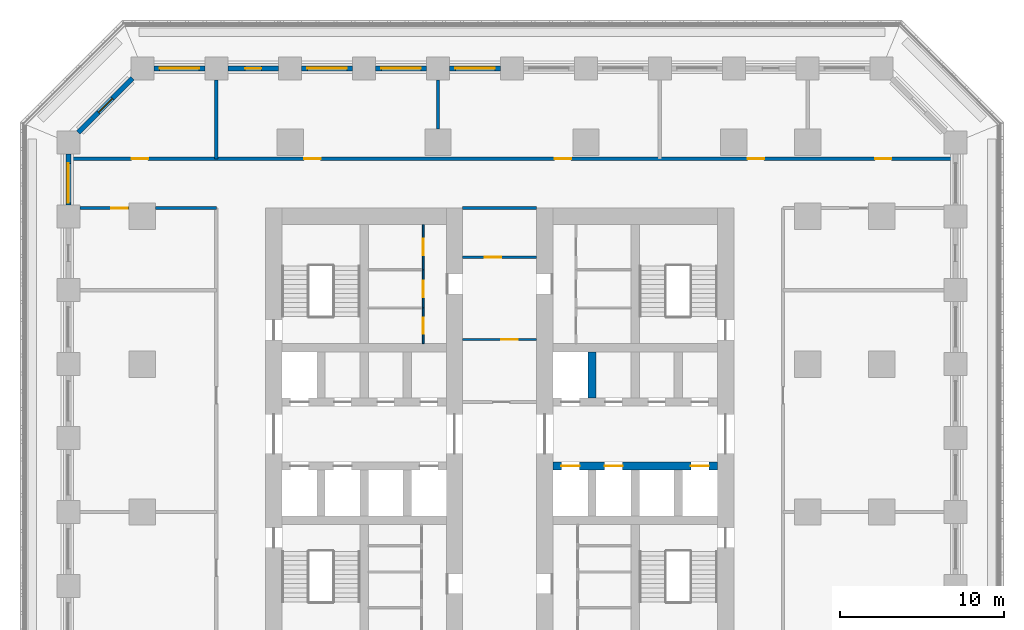
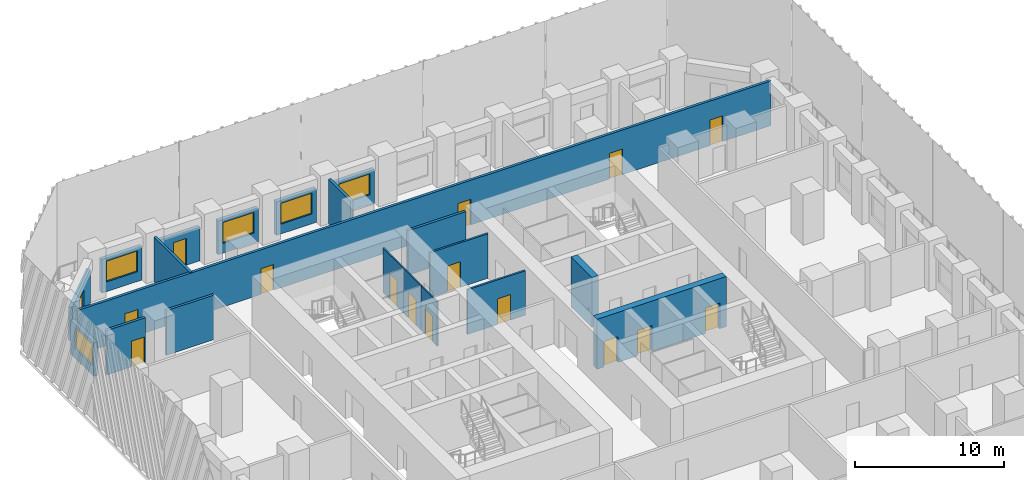
# One storey, part 6 of 14: 20 walls, 16 doors, 5 windows, 21 openings.
"""IFC4 building model written with IfcOpenShell, lengths in metres."""

from ifc_helpers import new_model, si_unit, direction, frame, frame_2d, origin, place, context, subcontext, project, spatial, rectangle, extrude, material, layer, layer_set, type_object, element, fill, save


model = new_model("IFC4")

# Units and contexts
model_context = context("Model", 3, precision=1e-05, world=origin(), true_north=direction((0.0, 1.0)))
body_context = subcontext(model_context, "Body", "Model", "MODEL_VIEW")
ifc_project = project(units=[si_unit("LENGTHUNIT", "METRE"), si_unit("AREAUNIT", "SQUARE_METRE"), si_unit("VOLUMEUNIT", "CUBIC_METRE"), si_unit("PLANEANGLEUNIT", "RADIAN"), si_unit("MASSUNIT", "GRAM", prefix="KILO")], contexts=[model_context])

# Site, building, storey
site_placement = place(None, origin())
site = spatial("IfcSite", under=ifc_project, at=site_placement, CompositionType="ELEMENT")
building_placement = place(site_placement, origin())
building = spatial("IfcBuilding", under=site, at=building_placement, Name="Corbel Stack Research Tower", CompositionType="ELEMENT")
storey_placement = place(building_placement, frame((0.0, 0.0, 50.10009765625)))
storey = spatial("IfcBuildingStorey", under=building, at=storey_placement, Name="L11", CompositionType="ELEMENT", Elevation=50.10009765625)

# Wall, openings, doors
ifc_material_1 = material(Name="Concrete C70/85", Category="concrete")
ifc_layer_1 = layer(ifc_material_1, 0.5)
ifc_layer_set_1 = layer_set([ifc_layer_1], Name="Concrete C70/85")
wall_type_1 = type_object("IfcWallType", Name="CW-500-70", PredefinedType="SHEAR", material=ifc_layer_set_1)
wall_1_placement = place(storey_placement, frame((7.0, 2.800048828125, 0.0), z_axis=(0.0, 0.0, 1.0), x_axis=(1.0, 0.0, 0.0)))
wall_1 = element("IfcWall", 1, at=wall_1_placement, inside=storey, type_object=wall_type_1, Name="East core wall, lobby south L11", PredefinedType="SHEAR", context=body_context, shape_type="SweptSolid", body=[
    extrude(rectangle(XDim=10.0, YDim=0.5, at=frame_2d((5.0, 0.0))), origin(), (0.0, 0.0, 1.0), 4.099853515625),
])
opening_1_placement = place(wall_1_placement, frame((0.512451171875, 0.0, 0.0)))
opening_1 = element("IfcOpeningElement", 2, at=opening_1_placement, cuts=wall_1, Name="Opening LD-FS2", PredefinedType="OPENING", context=body_context, shape_type="SweptSolid", body=[
    extrude(rectangle(XDim=1.10009765625, YDim=2.10009765625, at=frame_2d((0.550048828125, 1.050048828125))), frame((0.0, 0.260009765625, 0.0), z_axis=(0.0, -1.0, 0.0), x_axis=(1.0, 0.0, 0.0)), (0.0, 0.0, 1.0), 0.52001953125),
])
opening_2_placement = place(wall_1_placement, frame((3.137451171875, 0.0, 0.0)))
opening_2 = element("IfcOpeningElement", 3, at=opening_2_placement, cuts=wall_1, Name="Opening LD-GL2", PredefinedType="OPENING", context=body_context, shape_type="SweptSolid", body=[
    extrude(rectangle(XDim=1.10009765625, YDim=2.10009765625, at=frame_2d((0.550048828125, 1.050048828125))), frame((0.0, 0.260009765625, 0.0), z_axis=(0.0, -1.0, 0.0), x_axis=(1.0, 0.0, 0.0)), (0.0, 0.0, 1.0), 0.52001953125),
])
opening_3_placement = place(wall_1_placement, frame((8.387451171875, 0.0, 0.0)))
opening_3 = element("IfcOpeningElement", 4, at=opening_3_placement, cuts=wall_1, Name="Opening LD-LR3", PredefinedType="OPENING", context=body_context, shape_type="SweptSolid", body=[
    extrude(rectangle(XDim=1.10009765625, YDim=2.10009765625, at=frame_2d((0.550048828125, 1.050048828125))), frame((0.0, 0.260009765625, 0.0), z_axis=(0.0, -1.0, 0.0), x_axis=(1.0, 0.0, 0.0)), (0.0, 0.0, 1.0), 0.52001953125),
])
ifc_material_2 = material(Name="Stainless steel landing door", Category="steel")
door_type_1 = type_object("IfcDoorType", Name="Lift landing door 1100 x 2100", OperationType="DOUBLE_DOOR_SLIDING", PredefinedType="DOOR", material=ifc_material_2)
door_1_placement = place(opening_1_placement, origin())
door_1 = element("IfcDoor", 5, at=door_1_placement, inside=storey, type_object=door_type_1, Name="Landing door FS2", OperationType="DOUBLE_DOOR_SLIDING", OverallHeight=2.10009765625, OverallWidth=1.10009765625, PredefinedType="DOOR", context=body_context, shape_type="SweptSolid", body=[
    extrude(rectangle(XDim=1.10009765625, YDim=2.10009765625, at=frame_2d((0.550048828125, 1.050048828125))), frame((0.0, 0.02490234375, 0.0), z_axis=(0.0, -1.0, 0.0), x_axis=(1.0, 0.0, 0.0)), (0.0, 0.0, 1.0), 0.050048828125),
])
fill(opening_1, door_1)
door_2_placement = place(opening_2_placement, origin())
door_2 = element("IfcDoor", 6, at=door_2_placement, inside=storey, type_object=door_type_1, Name="Landing door GL2", OperationType="DOUBLE_DOOR_SLIDING", OverallHeight=2.10009765625, OverallWidth=1.10009765625, PredefinedType="DOOR", context=body_context, shape_type="SweptSolid", body=[
    extrude(rectangle(XDim=1.10009765625, YDim=2.10009765625, at=frame_2d((0.550048828125, 1.050048828125))), frame((0.0, 0.02490234375, 0.0), z_axis=(0.0, -1.0, 0.0), x_axis=(1.0, 0.0, 0.0)), (0.0, 0.0, 1.0), 0.050048828125),
])
fill(opening_2, door_2)
door_3_placement = place(opening_3_placement, origin())
door_3 = element("IfcDoor", 7, at=door_3_placement, inside=storey, type_object=door_type_1, Name="Landing door LR3", OperationType="DOUBLE_DOOR_SLIDING", OverallHeight=2.10009765625, OverallWidth=1.10009765625, PredefinedType="DOOR", context=body_context, shape_type="SweptSolid", body=[
    extrude(rectangle(XDim=1.10009765625, YDim=2.10009765625, at=frame_2d((0.550048828125, 1.050048828125))), frame((0.0, 0.02490234375, 0.0), z_axis=(0.0, -1.0, 0.0), x_axis=(1.0, 0.0, 0.0)), (0.0, 0.0, 1.0), 0.050048828125),
])
fill(opening_3, door_3)

# Wall
wall_2_placement = place(storey_placement, frame((9.375, 6.949951171875, 0.0), z_axis=(0.0, 0.0, 1.0), x_axis=(0.0, 1.0, 0.0)))
element("IfcWall", 8, at=wall_2_placement, inside=storey, type_object=wall_type_1, Name="East core wall, north shaft 1 L11", PredefinedType="SHEAR", context=body_context, shape_type="SweptSolid", body=[
    extrude(rectangle(XDim=2.800048828125, YDim=0.5, at=frame_2d((1.39990234375, 0.0))), origin(), (0.0, 0.0, 1.0), 4.099853515625),
])

# Wall, opening, door
ifc_material_3 = material(Name="Gypsum board")
ifc_layer_2 = layer(ifc_material_3, 0.10009765625)
ifc_layer_set_2 = layer_set([ifc_layer_2], Name="Gypsum board")
wall_type_2 = type_object("IfcWallType", Name="Core partition 100", PredefinedType="PARTITIONING", material=ifc_layer_set_2)
wall_3_placement = place(storey_placement, frame((-0.89990234375, 10.25, 0.0), z_axis=(0.0, 0.0, 1.0), x_axis=(0.0, 1.0, 0.0)))
wall_3 = element("IfcWall", 9, at=wall_3_placement, inside=storey, type_object=wall_type_2, Name="Core partition W", PredefinedType="PARTITIONING", context=body_context, shape_type="SweptSolid", body=[
    extrude(rectangle(XDim=2.175048828125, YDim=0.10009765625, at=frame_2d((1.08740234375, 0.0))), origin(), (0.0, 0.0, 1.0), 3.64990234375),
])
opening_4_placement = place(wall_3_placement, frame((0.58740234375, 0.0, 0.0)))
opening_4 = element("IfcOpeningElement", 10, at=opening_4_placement, cuts=wall_3, Name="Opening CR-W42-R2-1000", PredefinedType="OPENING", context=body_context, shape_type="SweptSolid", body=[
    extrude(rectangle(XDim=1.0, YDim=2.10009765625, at=frame_2d((0.5, 1.050048828125))), frame((0.0, 0.06005859375, 0.0), z_axis=(0.0, -1.0, 0.0), x_axis=(1.0, 0.0, 0.0)), (0.0, 0.0, 1.0), 0.1201171875),
])
ifc_material_4 = material(Name="Painted steel door", Category="steel")
door_type_2 = type_object("IfcDoorType", Name="Riser door 1000 x 2100 FD60 right hand", OperationType="SINGLE_SWING_RIGHT", PredefinedType="DOOR", material=ifc_material_4)
door_4_placement = place(opening_4_placement, origin())
door_4 = element("IfcDoor", 11, at=door_4_placement, inside=storey, type_object=door_type_2, Name="Mechanical riser door W core", OperationType="SINGLE_SWING_RIGHT", OverallHeight=2.10009765625, OverallWidth=1.0, PredefinedType="DOOR", context=body_context, shape_type="SweptSolid", body=[
    extrude(rectangle(XDim=1.0, YDim=2.10009765625, at=frame_2d((0.5, 1.050048828125))), frame((0.0, 0.02490234375, 0.0), z_axis=(0.0, -1.0, 0.0), x_axis=(1.0, 0.0, 0.0)), (0.0, 0.0, 1.0), 0.050048828125),
])
fill(opening_4, door_4)

wall_4_placement = place(storey_placement, frame((-0.89990234375, 12.425048828125, 0.0), z_axis=(0.0, 0.0, 1.0), x_axis=(0.0, 1.0, 0.0)))
wall_4 = element("IfcWall", 12, at=wall_4_placement, inside=storey, type_object=wall_type_2, Name="Core partition W", PredefinedType="PARTITIONING", context=body_context, shape_type="SweptSolid", body=[
    extrude(rectangle(XDim=2.320068359375, YDim=0.10009765625, at=frame_2d((1.16015625, 0.0))), origin(), (0.0, 0.0, 1.0), 3.64990234375),
])
opening_5_placement = place(wall_4_placement, frame((0.659912109375, 0.0, 0.0)))
opening_5 = element("IfcOpeningElement", 13, at=opening_5_placement, cuts=wall_4, Name="Opening CR-W42-R3-1000", PredefinedType="OPENING", context=body_context, shape_type="SweptSolid", body=[
    extrude(rectangle(XDim=1.0, YDim=2.10009765625, at=frame_2d((0.5, 1.050048828125))), frame((0.0, 0.06005859375, 0.0), z_axis=(0.0, -1.0, 0.0), x_axis=(1.0, 0.0, 0.0)), (0.0, 0.0, 1.0), 0.1201171875),
])
ifc_material_5 = material(Name="Painted steel door", Category="steel")
door_type_3 = type_object("IfcDoorType", Name="Service door 1000 x 2100 FD30 left hand", OperationType="SINGLE_SWING_LEFT", PredefinedType="DOOR", material=ifc_material_5)
door_5_placement = place(opening_5_placement, origin())
door_5 = element("IfcDoor", 14, at=door_5_placement, inside=storey, type_object=door_type_3, Name="Pantry door W core", OperationType="SINGLE_SWING_LEFT", OverallHeight=2.10009765625, OverallWidth=1.0, PredefinedType="DOOR", context=body_context, shape_type="SweptSolid", body=[
    extrude(rectangle(XDim=1.0, YDim=2.10009765625, at=frame_2d((0.5, 1.050048828125))), frame((0.0, 0.02490234375, 0.0), z_axis=(0.0, -1.0, 0.0), x_axis=(1.0, 0.0, 0.0)), (0.0, 0.0, 1.0), 0.050048828125),
])
fill(opening_5, door_5)

wall_5_placement = place(storey_placement, frame((-0.89990234375, 14.7451171875, 0.0), z_axis=(0.0, 0.0, 1.0), x_axis=(0.0, 1.0, 0.0)))
wall_5 = element("IfcWall", 15, at=wall_5_placement, inside=storey, type_object=wall_type_2, Name="Core partition W", PredefinedType="PARTITIONING", context=body_context, shape_type="SweptSolid", body=[
    extrude(rectangle(XDim=2.7548828125, YDim=0.10009765625, at=frame_2d((1.37744140625, 0.0))), origin(), (0.0, 0.0, 1.0), 3.64990234375),
])
opening_6_placement = place(wall_5_placement, frame((0.87744140625, 0.0, 0.0)))
opening_6 = element("IfcOpeningElement", 16, at=opening_6_placement, cuts=wall_5, Name="Opening CR-W42-R4-1000", PredefinedType="OPENING", context=body_context, shape_type="SweptSolid", body=[
    extrude(rectangle(XDim=1.0, YDim=2.10009765625, at=frame_2d((0.5, 1.050048828125))), frame((0.0, 0.06005859375, 0.0), z_axis=(0.0, -1.0, 0.0), x_axis=(1.0, 0.0, 0.0)), (0.0, 0.0, 1.0), 0.1201171875),
])
door_6_placement = place(opening_6_placement, origin())
door_6 = element("IfcDoor", 17, at=door_6_placement, inside=storey, type_object=door_type_2, Name="Electrical riser door W core", OperationType="SINGLE_SWING_RIGHT", OverallHeight=2.10009765625, OverallWidth=1.0, PredefinedType="DOOR", context=body_context, shape_type="SweptSolid", body=[
    extrude(rectangle(XDim=1.0, YDim=2.10009765625, at=frame_2d((0.5, 1.050048828125))), frame((0.0, 0.02490234375, 0.0), z_axis=(0.0, -1.0, 0.0), x_axis=(1.0, 0.0, 0.0)), (0.0, 0.0, 1.0), 0.050048828125),
])
fill(opening_6, door_6)

# Walls
ifc_material_6 = material(Name="Fire-rated gypsum board partition on steel studs", Category="steel")
ifc_layer_3 = layer(ifc_material_6, 0.199951171875)
ifc_layer_set_3 = layer_set([ifc_layer_3], Name="Fire-rated gypsum board partition on steel studs")
wall_type_3 = type_object("IfcWallType", Name="Fire-rated partition 200 EI 60", PredefinedType="PARTITIONING", material=ifc_layer_set_3)
wall_6_placement = place(storey_placement, frame((-13.5, 21.5, 0.0), z_axis=(0.0, 0.0, 1.0), x_axis=(0.0, 1.0, 0.0)))
element("IfcWall", 18, at=wall_6_placement, inside=storey, type_object=wall_type_3, Name="Partition L11-003", PredefinedType="PARTITIONING", context=body_context, shape_type="SweptSolid", body=[
    extrude(rectangle(XDim=4.800048828125, YDim=0.199951171875, at=frame_2d((2.39990234375, 0.0))), origin(), (0.0, 0.0, 1.0), 3.64990234375),
])
wall_7_placement = place(storey_placement, frame((0.0, 23.300048828125, 0.0), z_axis=(0.0, 0.0, 1.0), x_axis=(0.0, 1.0, 0.0)))
element("IfcWall", 19, at=wall_7_placement, inside=storey, type_object=wall_type_3, Name="Partition L11-006", PredefinedType="PARTITIONING", context=body_context, shape_type="SweptSolid", body=[
    extrude(rectangle(XDim=3.0, YDim=0.199951171875, at=frame_2d((1.5, 0.0))), origin(), (0.0, 0.0, 1.0), 3.64990234375),
])

# Wall, opening, door
wall_8_placement = place(storey_placement, frame((-18.800048828125, 18.5, 0.0), z_axis=(0.0, 0.0, 1.0), x_axis=(-1.0, 0.0, 0.0)))
wall_8 = element("IfcWall", 20, at=wall_8_placement, inside=storey, type_object=wall_type_3, Name="Partition L11-030", PredefinedType="PARTITIONING", context=body_context, shape_type="SweptSolid", body=[
    extrude(rectangle(XDim=3.0, YDim=0.199951171875, at=frame_2d((1.5, 0.0))), origin(), (0.0, 0.0, 1.0), 3.64990234375),
])
opening_7_placement = place(wall_8_placement, frame((0.10009765625, 0.0, 0.0)))
opening_7 = element("IfcOpeningElement", 21, at=opening_7_placement, cuts=wall_8, Name="Opening B2V1-017", PredefinedType="OPENING", context=body_context, shape_type="SweptSolid", body=[
    extrude(rectangle(XDim=1.0, YDim=2.10009765625, at=frame_2d((0.5, 1.050048828125))), frame((0.0, 0.10986328125, 0.0), z_axis=(0.0, -1.0, 0.0), x_axis=(1.0, 0.0, 0.0)), (0.0, 0.0, 1.0), 0.219970703125),
])
ifc_material_7 = material(Name="Painted steel fire door", Category="steel")
door_type_4 = type_object("IfcDoorType", Name="Fire door FD30S 1000 x 2100", OperationType="NOTDEFINED", PredefinedType="DOOR", material=ifc_material_7)
door_7_placement = place(opening_7_placement, origin())
door_7 = element("IfcDoor", 22, at=door_7_placement, inside=storey, type_object=door_type_4, Name="Door B2V1-017", OperationType="SINGLE_SWING_LEFT", OverallHeight=2.10009765625, OverallWidth=1.0, PredefinedType="DOOR", context=body_context, shape_type="SweptSolid", body=[
    extrude(rectangle(XDim=1.0, YDim=2.10009765625, at=frame_2d((0.5, 1.050048828125))), frame((0.0, 0.02490234375, 0.0), z_axis=(0.0, -1.0, 0.0), x_axis=(1.0, 0.0, 0.0)), (0.0, 0.0, 1.0), 0.050048828125),
])
fill(opening_7, door_7)

# Walls
wall_9_placement = place(storey_placement, frame((-17.199951171875, 18.5, 0.0), z_axis=(0.0, 0.0, 1.0), x_axis=(1.0, 0.0, 0.0)))
element("IfcWall", 23, at=wall_9_placement, inside=storey, type_object=wall_type_3, Name="Partition L11-031", PredefinedType="PARTITIONING", context=body_context, shape_type="SweptSolid", body=[
    extrude(rectangle(XDim=3.699951171875, YDim=0.199951171875, at=frame_2d((1.85009765625, 0.0))), origin(), (0.0, 0.0, 1.0), 3.64990234375),
])
wall_10_placement = place(storey_placement, frame((1.5, 18.5, 0.0), z_axis=(0.0, 0.0, 1.0), x_axis=(1.0, 0.0, 0.0)))
element("IfcWall", 24, at=wall_10_placement, inside=storey, type_object=wall_type_3, Name="Partition L11-032", PredefinedType="PARTITIONING", context=body_context, shape_type="SweptSolid", body=[
    extrude(rectangle(XDim=4.5, YDim=0.199951171875, at=frame_2d((2.25, 0.0))), origin(), (0.0, 0.0, 1.0), 3.64990234375),
])

# Wall, openings, doors
wall_11_placement = place(storey_placement, frame((-22.35009765625, 21.5, 0.0), z_axis=(0.0, 0.0, 1.0), x_axis=(1.0, 0.0, 0.0)))
wall_11 = element("IfcWall", 25, at=wall_11_placement, inside=storey, type_object=wall_type_3, Name="Partition L11-036", PredefinedType="PARTITIONING", context=body_context, shape_type="SweptSolid", body=[
    extrude(rectangle(XDim=53.7001953125, YDim=0.199951171875, at=frame_2d((26.85009765625, 0.0))), origin(), (0.0, 0.0, 1.0), 3.64990234375),
])
opening_8_placement = place(wall_11_placement, frame((3.699951171875, 0.0, 0.0)))
opening_8 = element("IfcOpeningElement", 26, at=opening_8_placement, cuts=wall_11, Name="Opening B2V1-020", PredefinedType="OPENING", context=body_context, shape_type="SweptSolid", body=[
    extrude(rectangle(XDim=1.0, YDim=2.10009765625, at=frame_2d((0.5, 1.050048828125))), frame((0.0, 0.10986328125, 0.0), z_axis=(0.0, -1.0, 0.0), x_axis=(1.0, 0.0, 0.0)), (0.0, 0.0, 1.0), 0.219970703125),
])
opening_9_placement = place(wall_11_placement, frame((14.199951171875, 0.0, 0.0)))
opening_9 = element("IfcOpeningElement", 27, at=opening_9_placement, cuts=wall_11, Name="Opening B2V1-021", PredefinedType="OPENING", context=body_context, shape_type="SweptSolid", body=[
    extrude(rectangle(XDim=1.0, YDim=2.10009765625, at=frame_2d((0.5, 1.050048828125))), frame((0.0, 0.10986328125, 0.0), z_axis=(0.0, -1.0, 0.0), x_axis=(1.0, 0.0, 0.0)), (0.0, 0.0, 1.0), 0.219970703125),
])
opening_10_placement = place(wall_11_placement, frame((29.449951171875, 0.0, 0.0)))
opening_10 = element("IfcOpeningElement", 28, at=opening_10_placement, cuts=wall_11, Name="Opening B2V1-022", PredefinedType="OPENING", context=body_context, shape_type="SweptSolid", body=[
    extrude(rectangle(XDim=1.0, YDim=2.10009765625, at=frame_2d((0.5, 1.050048828125))), frame((0.0, 0.10986328125, 0.0), z_axis=(0.0, -1.0, 0.0), x_axis=(1.0, 0.0, 0.0)), (0.0, 0.0, 1.0), 0.219970703125),
])
opening_11_placement = place(wall_11_placement, frame((41.199951171875, 0.0, 0.0)))
opening_11 = element("IfcOpeningElement", 29, at=opening_11_placement, cuts=wall_11, Name="Opening B2V1-023", PredefinedType="OPENING", context=body_context, shape_type="SweptSolid", body=[
    extrude(rectangle(XDim=1.0, YDim=2.10009765625, at=frame_2d((0.5, 1.050048828125))), frame((0.0, 0.10986328125, 0.0), z_axis=(0.0, -1.0, 0.0), x_axis=(1.0, 0.0, 0.0)), (0.0, 0.0, 1.0), 0.219970703125),
])
opening_12_placement = place(wall_11_placement, frame((48.949951171875, 0.0, 0.0)))
opening_12 = element("IfcOpeningElement", 30, at=opening_12_placement, cuts=wall_11, Name="Opening B2V1-024", PredefinedType="OPENING", context=body_context, shape_type="SweptSolid", body=[
    extrude(rectangle(XDim=1.0, YDim=2.10009765625, at=frame_2d((0.5, 1.050048828125))), frame((0.0, 0.10986328125, 0.0), z_axis=(0.0, -1.0, 0.0), x_axis=(1.0, 0.0, 0.0)), (0.0, 0.0, 1.0), 0.219970703125),
])
door_8_placement = place(opening_8_placement, origin())
door_8 = element("IfcDoor", 31, at=door_8_placement, inside=storey, type_object=door_type_4, Name="Door B2V1-020", OperationType="SINGLE_SWING_LEFT", OverallHeight=2.10009765625, OverallWidth=1.0, PredefinedType="DOOR", context=body_context, shape_type="SweptSolid", body=[
    extrude(rectangle(XDim=1.0, YDim=2.10009765625, at=frame_2d((0.5, 1.050048828125))), frame((0.0, 0.02490234375, 0.0), z_axis=(0.0, -1.0, 0.0), x_axis=(1.0, 0.0, 0.0)), (0.0, 0.0, 1.0), 0.050048828125),
])
fill(opening_8, door_8)
door_9_placement = place(opening_9_placement, origin())
door_9 = element("IfcDoor", 32, at=door_9_placement, inside=storey, type_object=door_type_4, Name="Door B2V1-021", OperationType="SINGLE_SWING_LEFT", OverallHeight=2.10009765625, OverallWidth=1.0, PredefinedType="DOOR", context=body_context, shape_type="SweptSolid", body=[
    extrude(rectangle(XDim=1.0, YDim=2.10009765625, at=frame_2d((0.5, 1.050048828125))), frame((0.0, 0.02490234375, 0.0), z_axis=(0.0, -1.0, 0.0), x_axis=(1.0, 0.0, 0.0)), (0.0, 0.0, 1.0), 0.050048828125),
])
fill(opening_9, door_9)
door_10_placement = place(opening_10_placement, origin())
door_10 = element("IfcDoor", 33, at=door_10_placement, inside=storey, type_object=door_type_4, Name="Door B2V1-022", OperationType="SINGLE_SWING_RIGHT", OverallHeight=2.10009765625, OverallWidth=1.0, PredefinedType="DOOR", context=body_context, shape_type="SweptSolid", body=[
    extrude(rectangle(XDim=1.0, YDim=2.10009765625, at=frame_2d((0.5, 1.050048828125))), frame((0.0, 0.02490234375, 0.0), z_axis=(0.0, -1.0, 0.0), x_axis=(1.0, 0.0, 0.0)), (0.0, 0.0, 1.0), 0.050048828125),
])
fill(opening_10, door_10)
door_11_placement = place(opening_11_placement, origin())
door_11 = element("IfcDoor", 34, at=door_11_placement, inside=storey, type_object=door_type_4, Name="Door B2V1-023", OperationType="SINGLE_SWING_RIGHT", OverallHeight=2.10009765625, OverallWidth=1.0, PredefinedType="DOOR", context=body_context, shape_type="SweptSolid", body=[
    extrude(rectangle(XDim=1.0, YDim=2.10009765625, at=frame_2d((0.5, 1.050048828125))), frame((0.0, 0.02490234375, 0.0), z_axis=(0.0, -1.0, 0.0), x_axis=(1.0, 0.0, 0.0)), (0.0, 0.0, 1.0), 0.050048828125),
])
fill(opening_11, door_11)
door_12_placement = place(opening_12_placement, origin())
door_12 = element("IfcDoor", 35, at=door_12_placement, inside=storey, type_object=door_type_4, Name="Door B2V1-024", OperationType="SINGLE_SWING_RIGHT", OverallHeight=2.10009765625, OverallWidth=1.0, PredefinedType="DOOR", context=body_context, shape_type="SweptSolid", body=[
    extrude(rectangle(XDim=1.0, YDim=2.10009765625, at=frame_2d((0.5, 1.050048828125))), frame((0.0, 0.02490234375, 0.0), z_axis=(0.0, -1.0, 0.0), x_axis=(1.0, 0.0, 0.0)), (0.0, 0.0, 1.0), 0.050048828125),
])
fill(opening_12, door_12)

# Wall, opening, door
ifc_material_8 = material(Name="Gypsum board partition on steel studs", Category="steel")
ifc_layer_4 = layer(ifc_material_8, 0.14990234375)
ifc_layer_set_4 = layer_set([ifc_layer_4], Name="Gypsum board partition on steel studs")
wall_type_4 = type_object("IfcWallType", Name="Partition 150", PredefinedType="PARTITIONING", material=ifc_layer_set_4)
wall_12_placement = place(storey_placement, frame((1.5, 10.5, 0.0), z_axis=(0.0, 0.0, 1.0), x_axis=(1.0, 0.0, 0.0)))
wall_12 = element("IfcWall", 36, at=wall_12_placement, inside=storey, type_object=wall_type_4, Name="Partition L11-026", PredefinedType="PARTITIONING", context=body_context, shape_type="SweptSolid", body=[
    extrude(rectangle(XDim=4.5, YDim=0.14990234375, at=frame_2d((2.25, 0.0))), origin(), (0.0, 0.0, 1.0), 3.64990234375),
])
opening_13_placement = place(wall_12_placement, frame((2.35009765625, 0.0, 0.0)))
opening_13 = element("IfcOpeningElement", 37, at=opening_13_placement, cuts=wall_12, Name="Opening B2V1-015", PredefinedType="OPENING", context=body_context, shape_type="SweptSolid", body=[
    extrude(rectangle(XDim=1.0, YDim=2.10009765625, at=frame_2d((0.5, 1.050048828125))), frame((0.0, 0.0849609375, 0.0), z_axis=(0.0, -1.0, 0.0), x_axis=(1.0, 0.0, 0.0)), (0.0, 0.0, 1.0), 0.169921875),
])
ifc_material_9 = material(Name="Painted timber door", Category="wood")
door_type_5 = type_object("IfcDoorType", Name="Single door 1000 x 2100", OperationType="NOTDEFINED", PredefinedType="DOOR", material=ifc_material_9)
door_13_placement = place(opening_13_placement, origin())
door_13 = element("IfcDoor", 38, at=door_13_placement, inside=storey, type_object=door_type_5, Name="Door B2V1-015", OperationType="SINGLE_SWING_RIGHT", OverallHeight=2.10009765625, OverallWidth=1.0, PredefinedType="DOOR", context=body_context, shape_type="SweptSolid", body=[
    extrude(rectangle(XDim=1.0, YDim=2.10009765625, at=frame_2d((0.5, 1.050048828125))), frame((0.0, 0.02490234375, 0.0), z_axis=(0.0, -1.0, 0.0), x_axis=(1.0, 0.0, 0.0)), (0.0, 0.0, 1.0), 0.050048828125),
])
fill(opening_13, door_13)

wall_13_placement = place(storey_placement, frame((1.5, 15.5, 0.0), z_axis=(0.0, 0.0, 1.0), x_axis=(1.0, 0.0, 0.0)))
wall_13 = element("IfcWall", 39, at=wall_13_placement, inside=storey, type_object=wall_type_4, Name="Partition L11-029", PredefinedType="PARTITIONING", context=body_context, shape_type="SweptSolid", body=[
    extrude(rectangle(XDim=4.5, YDim=0.14990234375, at=frame_2d((2.25, 0.0))), origin(), (0.0, 0.0, 1.0), 3.64990234375),
])
opening_14_placement = place(wall_13_placement, frame((1.35009765625, 0.0, 0.0)))
opening_14 = element("IfcOpeningElement", 40, at=opening_14_placement, cuts=wall_13, Name="Opening B2V1-016", PredefinedType="OPENING", context=body_context, shape_type="SweptSolid", body=[
    extrude(rectangle(XDim=1.0, YDim=2.10009765625, at=frame_2d((0.5, 1.050048828125))), frame((0.0, 0.0849609375, 0.0), z_axis=(0.0, -1.0, 0.0), x_axis=(1.0, 0.0, 0.0)), (0.0, 0.0, 1.0), 0.169921875),
])
door_14_placement = place(opening_14_placement, origin())
door_14 = element("IfcDoor", 41, at=door_14_placement, inside=storey, type_object=door_type_5, Name="Door B2V1-016", OperationType="SINGLE_SWING_LEFT", OverallHeight=2.10009765625, OverallWidth=1.0, PredefinedType="DOOR", context=body_context, shape_type="SweptSolid", body=[
    extrude(rectangle(XDim=1.0, YDim=2.10009765625, at=frame_2d((0.5, 1.050048828125))), frame((0.0, 0.02490234375, 0.0), z_axis=(0.0, -1.0, 0.0), x_axis=(1.0, 0.0, 0.0)), (0.0, 0.0, 1.0), 0.050048828125),
])
fill(opening_14, door_14)

# Wall, opening, window
ifc_material_10 = material(Name="Concrete C45/55", Category="concrete")
ifc_layer_5 = layer(ifc_material_10, 0.300048828125)
ifc_layer_set_5 = layer_set([ifc_layer_5], Name="Concrete C45/55")
wall_type_5 = type_object("IfcWallType", Name="Terracotta-faced concrete wall 300", PredefinedType="SOLIDWALL", material=ifc_layer_set_5)
wall_14_placement = place(storey_placement, frame((0.699951171875, 27.0, 0.0), z_axis=(0.0, 0.0, 1.0), x_axis=(1.0, 0.0, 0.0)))
wall_14 = element("IfcWall", 42, at=wall_14_placement, inside=storey, type_object=wall_type_5, Name="Facade wall L11 N06", PredefinedType="SOLIDWALL", context=body_context, shape_type="SweptSolid", body=[
    extrude(rectangle(XDim=3.10009765625, YDim=0.300048828125, at=frame_2d((1.550048828125, 0.0))), origin(), (0.0, 0.0, 1.0), 2.75),
])
opening_15_placement = place(wall_14_placement, frame((0.35009765625, 0.0, 0.800048828125)))
opening_15 = element("IfcOpeningElement", 43, at=opening_15_placement, cuts=wall_14, Name="Opening W1", PredefinedType="OPENING", context=body_context, shape_type="SweptSolid", body=[
    extrude(rectangle(XDim=2.39990234375, YDim=1.699951171875, at=frame_2d((1.199951171875, 0.85009765625))), frame((0.0, 0.159912109375, 0.0), z_axis=(0.0, -1.0, 0.0), x_axis=(1.0, 0.0, 0.0)), (0.0, 0.0, 1.0), 0.320068359375),
])
ifc_material_11 = material(Name="Aluminium frame, clear double glazing", Category="aluminium")
window_type = type_object("IfcWindowType", Name="Window W1 2400 x 1700", PartitioningType="SINGLE_PANEL", PredefinedType="WINDOW", material=ifc_material_11)
window_1_placement = place(opening_15_placement, origin())
window_1 = element("IfcWindow", 44, at=window_1_placement, inside=storey, type_object=window_type, Name="Window W1 L11 N06", OverallHeight=1.699951171875, OverallWidth=2.39990234375, PartitioningType="SINGLE_PANEL", PredefinedType="WINDOW", context=body_context, shape_type="SweptSolid", body=[
    extrude(rectangle(XDim=2.39990234375, YDim=1.699951171875, at=frame_2d((1.199951171875, 0.85009765625))), frame((0.0, 0.030029296875, 0.0), z_axis=(0.0, -1.0, 0.0), x_axis=(1.0, 0.0, 0.0)), (0.0, 0.0, 1.0), 0.06005859375),
])
fill(opening_15, window_1)

wall_15_placement = place(storey_placement, frame((-3.800048828125, 27.0, 0.0), z_axis=(0.0, 0.0, 1.0), x_axis=(1.0, 0.0, 0.0)))
wall_15 = element("IfcWall", 45, at=wall_15_placement, inside=storey, type_object=wall_type_5, Name="Facade wall L11 N07", PredefinedType="SOLIDWALL", context=body_context, shape_type="SweptSolid", body=[
    extrude(rectangle(XDim=3.10009765625, YDim=0.300048828125, at=frame_2d((1.550048828125, 0.0))), origin(), (0.0, 0.0, 1.0), 2.75),
])
opening_16_placement = place(wall_15_placement, frame((0.35009765625, 0.0, 0.800048828125)))
opening_16 = element("IfcOpeningElement", 46, at=opening_16_placement, cuts=wall_15, Name="Opening W1", PredefinedType="OPENING", context=body_context, shape_type="SweptSolid", body=[
    extrude(rectangle(XDim=2.39990234375, YDim=1.699951171875, at=frame_2d((1.199951171875, 0.85009765625))), frame((0.0, 0.159912109375, 0.0), z_axis=(0.0, -1.0, 0.0), x_axis=(1.0, 0.0, 0.0)), (0.0, 0.0, 1.0), 0.320068359375),
])
window_2_placement = place(opening_16_placement, origin())
window_2 = element("IfcWindow", 47, at=window_2_placement, inside=storey, type_object=window_type, Name="Window W1 L11 N07", OverallHeight=1.699951171875, OverallWidth=2.39990234375, PartitioningType="SINGLE_PANEL", PredefinedType="WINDOW", context=body_context, shape_type="SweptSolid", body=[
    extrude(rectangle(XDim=2.39990234375, YDim=1.699951171875, at=frame_2d((1.199951171875, 0.85009765625))), frame((0.0, 0.030029296875, 0.0), z_axis=(0.0, -1.0, 0.0), x_axis=(1.0, 0.0, 0.0)), (0.0, 0.0, 1.0), 0.06005859375),
])
fill(opening_16, window_2)

wall_16_placement = place(storey_placement, frame((-8.300048828125, 27.0, 0.0), z_axis=(0.0, 0.0, 1.0), x_axis=(1.0, 0.0, 0.0)))
wall_16 = element("IfcWall", 48, at=wall_16_placement, inside=storey, type_object=wall_type_5, Name="Facade wall L11 N08", PredefinedType="SOLIDWALL", context=body_context, shape_type="SweptSolid", body=[
    extrude(rectangle(XDim=3.10009765625, YDim=0.300048828125, at=frame_2d((1.550048828125, 0.0))), origin(), (0.0, 0.0, 1.0), 2.75),
])
opening_17_placement = place(wall_16_placement, frame((0.35009765625, 0.0, 0.800048828125)))
opening_17 = element("IfcOpeningElement", 49, at=opening_17_placement, cuts=wall_16, Name="Opening W1", PredefinedType="OPENING", context=body_context, shape_type="SweptSolid", body=[
    extrude(rectangle(XDim=2.39990234375, YDim=1.699951171875, at=frame_2d((1.199951171875, 0.85009765625))), frame((0.0, 0.159912109375, 0.0), z_axis=(0.0, -1.0, 0.0), x_axis=(1.0, 0.0, 0.0)), (0.0, 0.0, 1.0), 0.320068359375),
])
window_3_placement = place(opening_17_placement, origin())
window_3 = element("IfcWindow", 50, at=window_3_placement, inside=storey, type_object=window_type, Name="Window W1 L11 N08", OverallHeight=1.699951171875, OverallWidth=2.39990234375, PartitioningType="SINGLE_PANEL", PredefinedType="WINDOW", context=body_context, shape_type="SweptSolid", body=[
    extrude(rectangle(XDim=2.39990234375, YDim=1.699951171875, at=frame_2d((1.199951171875, 0.85009765625))), frame((0.0, 0.030029296875, 0.0), z_axis=(0.0, -1.0, 0.0), x_axis=(1.0, 0.0, 0.0)), (0.0, 0.0, 1.0), 0.06005859375),
])
fill(opening_17, window_3)

# Wall, opening, door
wall_17_placement = place(storey_placement, frame((-12.800048828125, 27.0, 0.0), z_axis=(0.0, 0.0, 1.0), x_axis=(1.0, 0.0, 0.0)))
wall_17 = element("IfcWall", 51, at=wall_17_placement, inside=storey, type_object=wall_type_5, Name="Facade wall L11 N09", PredefinedType="SOLIDWALL", context=body_context, shape_type="SweptSolid", body=[
    extrude(rectangle(XDim=3.10009765625, YDim=0.300048828125, at=frame_2d((1.550048828125, 0.0))), origin(), (0.0, 0.0, 1.0), 2.75),
])
opening_18_placement = place(wall_17_placement, frame((1.050048828125, 0.0, 0.0)))
opening_18 = element("IfcOpeningElement", 52, at=opening_18_placement, cuts=wall_17, Name="Opening L11-B08", PredefinedType="OPENING", context=body_context, shape_type="SweptSolid", body=[
    extrude(rectangle(XDim=1.0, YDim=2.199951171875, at=frame_2d((0.5, 1.10009765625))), frame((0.0, 0.159912109375, 0.0), z_axis=(0.0, -1.0, 0.0), x_axis=(1.0, 0.0, 0.0)), (0.0, 0.0, 1.0), 0.320068359375),
])
ifc_material_12 = material(Name="Aluminium frame, clear double glazing", Category="aluminium")
door_type_6 = type_object("IfcDoorType", Name="Balcony door BD1 1000 x 2200", OperationType="NOTDEFINED", PredefinedType="DOOR", material=ifc_material_12)
door_15_placement = place(opening_18_placement, origin())
door_15 = element("IfcDoor", 53, at=door_15_placement, inside=storey, type_object=door_type_6, Name="Balcony door L11-B08", OperationType="SINGLE_SWING_RIGHT", OverallHeight=2.199951171875, OverallWidth=1.0, PredefinedType="DOOR", context=body_context, shape_type="SweptSolid", body=[
    extrude(rectangle(XDim=1.0, YDim=2.199951171875, at=frame_2d((0.5, 1.10009765625))), frame((0.0, 0.02490234375, 0.0), z_axis=(0.0, -1.0, 0.0), x_axis=(1.0, 0.0, 0.0)), (0.0, 0.0, 1.0), 0.050048828125),
])
fill(opening_18, door_15)

# Wall, opening, window
wall_18_placement = place(storey_placement, frame((-17.300048828125, 27.0, 0.0), z_axis=(0.0, 0.0, 1.0), x_axis=(1.0, 0.0, 0.0)))
wall_18 = element("IfcWall", 54, at=wall_18_placement, inside=storey, type_object=wall_type_5, Name="Facade wall L11 N10", PredefinedType="SOLIDWALL", context=body_context, shape_type="SweptSolid", body=[
    extrude(rectangle(XDim=3.10009765625, YDim=0.300048828125, at=frame_2d((1.550048828125, 0.0))), origin(), (0.0, 0.0, 1.0), 2.75),
])
opening_19_placement = place(wall_18_placement, frame((0.35009765625, 0.0, 0.800048828125)))
opening_19 = element("IfcOpeningElement", 55, at=opening_19_placement, cuts=wall_18, Name="Opening W1", PredefinedType="OPENING", context=body_context, shape_type="SweptSolid", body=[
    extrude(rectangle(XDim=2.39990234375, YDim=1.699951171875, at=frame_2d((1.199951171875, 0.85009765625))), frame((0.0, 0.159912109375, 0.0), z_axis=(0.0, -1.0, 0.0), x_axis=(1.0, 0.0, 0.0)), (0.0, 0.0, 1.0), 0.320068359375),
])
window_4_placement = place(opening_19_placement, origin())
window_4 = element("IfcWindow", 56, at=window_4_placement, inside=storey, type_object=window_type, Name="Window W1 L11 N10", OverallHeight=1.699951171875, OverallWidth=2.39990234375, PartitioningType="SINGLE_PANEL", PredefinedType="WINDOW", context=body_context, shape_type="SweptSolid", body=[
    extrude(rectangle(XDim=2.39990234375, YDim=1.699951171875, at=frame_2d((1.199951171875, 0.85009765625))), frame((0.0, 0.030029296875, 0.0), z_axis=(0.0, -1.0, 0.0), x_axis=(1.0, 0.0, 0.0)), (0.0, 0.0, 1.0), 0.06005859375),
])
fill(opening_19, window_4)

# Wall, opening, door
wall_19_placement = place(storey_placement, frame((-21.906005859375, 23.093994140625, 0.0), z_axis=(0.0, 0.0, 1.0), x_axis=(0.707106781187, 0.707106781187, 0.0)))
wall_19 = element("IfcWall", 57, at=wall_19_placement, inside=storey, type_object=wall_type_5, Name="Facade wall L11 NW01", PredefinedType="SOLIDWALL", context=body_context, shape_type="SweptSolid", body=[
    extrude(rectangle(XDim=4.683837890625, YDim=0.300048828125, at=frame_2d((2.341796875, 0.0))), origin(), (0.0, 0.0, 1.0), 2.75),
])
opening_20_placement = place(wall_19_placement, frame((1.741943359375, 0.0, 0.0)))
opening_20 = element("IfcOpeningElement", 58, at=opening_20_placement, cuts=wall_19, Name="Opening L11-B09", PredefinedType="OPENING", context=body_context, shape_type="SweptSolid", body=[
    extrude(rectangle(XDim=1.199951171875, YDim=2.199951171875, at=frame_2d((0.60009765625, 1.10009765625))), frame((0.0, 0.159912109375, 0.0), z_axis=(0.0, -1.0, 0.0), x_axis=(1.0, 0.0, 0.0)), (0.0, 0.0, 1.0), 0.320068359375),
])
ifc_material_13 = material(Name="Aluminium frame, clear double glazing", Category="aluminium")
door_type_7 = type_object("IfcDoorType", Name="Balcony door BD2 1200 x 2200", OperationType="NOTDEFINED", PredefinedType="DOOR", material=ifc_material_13)
door_16_placement = place(opening_20_placement, origin())
door_16 = element("IfcDoor", 59, at=door_16_placement, inside=storey, type_object=door_type_7, Name="Balcony door L11-B09", OperationType="SINGLE_SWING_RIGHT", OverallHeight=2.199951171875, OverallWidth=1.199951171875, PredefinedType="DOOR", context=body_context, shape_type="SweptSolid", body=[
    extrude(rectangle(XDim=1.199951171875, YDim=2.199951171875, at=frame_2d((0.60009765625, 1.10009765625))), frame((0.0, 0.02490234375, 0.0), z_axis=(0.0, -1.0, 0.0), x_axis=(1.0, 0.0, 0.0)), (0.0, 0.0, 1.0), 0.050048828125),
])
fill(opening_20, door_16)

# Wall, opening, window
wall_20_placement = place(storey_placement, frame((-22.5, 18.699951171875, 0.0), z_axis=(0.0, 0.0, 1.0), x_axis=(0.0, 1.0, 0.0)))
wall_20 = element("IfcWall", 60, at=wall_20_placement, inside=storey, type_object=wall_type_5, Name="Facade wall L11 W01", PredefinedType="SOLIDWALL", context=body_context, shape_type="SweptSolid", body=[
    extrude(rectangle(XDim=3.10009765625, YDim=0.300048828125, at=frame_2d((1.550048828125, 0.0))), origin(), (0.0, 0.0, 1.0), 2.75),
])
opening_21_placement = place(wall_20_placement, frame((0.125, 0.0, 0.800048828125)))
opening_21 = element("IfcOpeningElement", 61, at=opening_21_placement, cuts=wall_20, Name="Opening W1", PredefinedType="OPENING", context=body_context, shape_type="SweptSolid", body=[
    extrude(rectangle(XDim=2.39990234375, YDim=1.699951171875, at=frame_2d((1.199951171875, 0.85009765625))), frame((0.0, 0.159912109375, 0.0), z_axis=(0.0, -1.0, 0.0), x_axis=(1.0, 0.0, 0.0)), (0.0, 0.0, 1.0), 0.320068359375),
])
window_5_placement = place(opening_21_placement, origin())
window_5 = element("IfcWindow", 62, at=window_5_placement, inside=storey, type_object=window_type, Name="Window W1 L11 W01", OverallHeight=1.699951171875, OverallWidth=2.39990234375, PartitioningType="SINGLE_PANEL", PredefinedType="WINDOW", context=body_context, shape_type="SweptSolid", body=[
    extrude(rectangle(XDim=2.39990234375, YDim=1.699951171875, at=frame_2d((1.199951171875, 0.85009765625))), frame((0.0, 0.030029296875, 0.0), z_axis=(0.0, -1.0, 0.0), x_axis=(1.0, 0.0, 0.0)), (0.0, 0.0, 1.0), 0.06005859375),
])
fill(opening_21, window_5)

save(model, "model.ifc")
